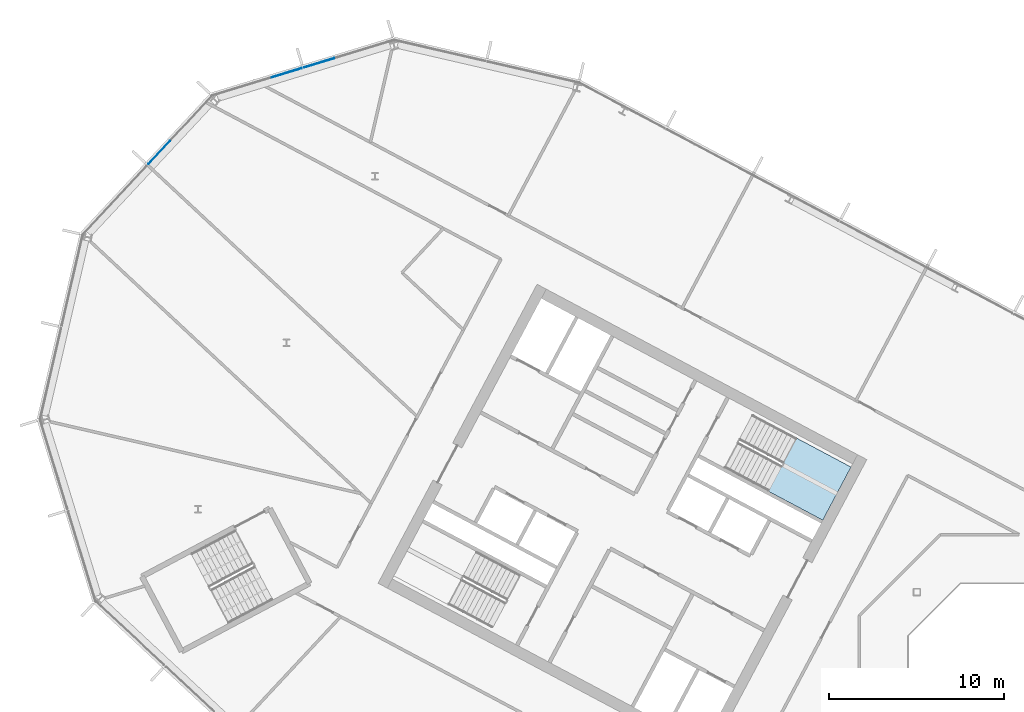
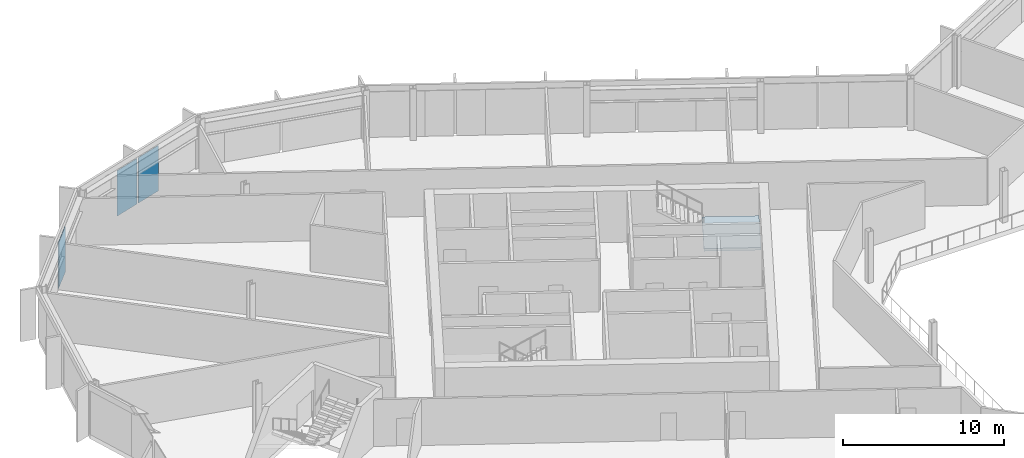
# One storey, part 11 of 27: 3 plates, 1 slab, 3 elements without a shape of their own.
"""IFC4 building model written with IfcOpenShell, lengths in metres."""

from ifc_helpers import new_model, si_unit, direction, frame, origin, origin_2d, place, context, subcontext, project, spatial, polyline, rectangle, outline, extrude, material, layer, layer_set, type_object, element, aggregate, save


model = new_model("IFC4")

# Units and contexts
model_context = context("Model", 3, precision=1e-05, world=origin(), true_north=direction((0.0, 1.0)))
body_context = subcontext(model_context, "Body", "Model", "MODEL_VIEW")
ifc_project = project(units=[si_unit("LENGTHUNIT", "METRE"), si_unit("AREAUNIT", "SQUARE_METRE"), si_unit("VOLUMEUNIT", "CUBIC_METRE"), si_unit("PLANEANGLEUNIT", "RADIAN"), si_unit("MASSUNIT", "GRAM", prefix="KILO")], contexts=[model_context])

# Site, building, storey
site_placement = place(None, origin())
site = spatial("IfcSite", under=ifc_project, at=site_placement, CompositionType="ELEMENT")
building_placement = place(site_placement, origin())
building = spatial("IfcBuilding", under=site, at=building_placement, Name="Cormorant Relay Tower", CompositionType="ELEMENT")
storey_placement = place(building_placement, frame((0.0, 0.0, 209.10009765625)))
storey = spatial("IfcBuildingStorey", under=building, at=storey_placement, Name="L45", CompositionType="ELEMENT", Elevation=209.10009765625)

# Curtain wall, plates
ifc_material_1 = material(Name="Aluminium 6063-T6 anodised bronze", Category="aluminium")
ifc_layer_1 = layer(ifc_material_1, 0.199951171875)
ifc_layer_set_1 = layer_set([ifc_layer_1], Name="CW1 unitised bronze curtain wall with vertical fins")
curtain_wall_type = type_object("IfcCurtainWallType", Name="CW1 unitised bronze curtain wall with vertical fins", PredefinedType="NOTDEFINED", material=ifc_layer_set_1)
curtain_wall_1_placement = place(storey_placement, origin())
curtain_wall_1 = element("IfcCurtainWall", 1, at=curtain_wall_1_placement, inside=storey, type_object=curtain_wall_type, Name="CW1 curtain wall 11", PredefinedType="NOTDEFINED")
ifc_material_2 = material(Name="Tinted laminated glass", Category="glass")
ifc_layer_2 = layer(ifc_material_2, 0.0400390625)
ifc_layer_set_2 = layer_set([ifc_layer_2], Name="CW1 tinted vision panel 1800 module")
plate_type = type_object("IfcPlateType", Name="CW1 tinted vision panel 1800 module", PredefinedType="CURTAIN_PANEL", material=ifc_layer_set_2)
plate_1_placement = place(storey_placement, frame((-44.73681640625, 40.82861328125, 0.0), z_axis=(0.0, 0.0, 1.0), x_axis=(-0.956304755963, -0.292371704723, 0.0)))
plate_1 = element("IfcPlate", 2, at=plate_1_placement, type_object=plate_type, Name="CW1 panel V01", PredefinedType="CURTAIN_PANEL", context=body_context, shape_type="SweptSolid", body=[
    extrude(rectangle(XDim=1.800048828125, YDim=0.0400390625, at=origin_2d()), origin(), (0.0, 0.0, 1.0), 3.449951171875),
])
plate_2_placement = place(storey_placement, frame((-46.6015625, 40.25830078125, 0.0), z_axis=(0.0, 0.0, 1.0), x_axis=(-0.956304755963, -0.292371704723, 0.0)))
plate_2 = element("IfcPlate", 3, at=plate_2_placement, type_object=plate_type, Name="CW1 panel V02", PredefinedType="CURTAIN_PANEL", context=body_context, shape_type="SweptSolid", body=[
    extrude(rectangle(XDim=1.800048828125, YDim=0.0400390625, at=origin_2d()), origin(), (0.0, 0.0, 1.0), 3.449951171875),
])
aggregate(curtain_wall_1, [plate_1, plate_2])

# Curtain wall, plate
curtain_wall_2_placement = place(storey_placement, origin())
curtain_wall_2 = element("IfcCurtainWall", 4, at=curtain_wall_2_placement, inside=storey, type_object=curtain_wall_type, Name="CW1 curtain wall 12", PredefinedType="NOTDEFINED")
plate_3_placement = place(storey_placement, frame((-53.91748046875, 35.68701171875, 0.0), z_axis=(0.0, 0.0, 1.0), x_axis=(-0.681998360062, -0.731353701619, 0.0)))
plate_3 = element("IfcPlate", 5, at=plate_3_placement, type_object=plate_type, Name="CW1 panel V01", PredefinedType="CURTAIN_PANEL", context=body_context, shape_type="SweptSolid", body=[
    extrude(rectangle(XDim=1.800048828125, YDim=0.0400390625, at=origin_2d()), origin(), (0.0, 0.0, 1.0), 3.449951171875),
])
aggregate(curtain_wall_2, [plate_3])

# Stair, slab
ifc_material_3 = material(Name="Concrete 40 MPa", Category="concrete")
stair_type = type_object("IfcStairType", Name="Exit stair 1500", PredefinedType="HALF_TURN_STAIR", material=ifc_material_3)
stair_placement = place(storey_placement, origin())
stair = element("IfcStair", 6, at=stair_placement, inside=storey, type_object=stair_type, Name="L45 Stair", PredefinedType="HALF_TURN_STAIR")
ifc_material_4 = material(Name="Concrete 40 MPa", Category="concrete")
ifc_layer_3 = layer(ifc_material_4, 0.199951171875)
ifc_layer_set_3 = layer_set([ifc_layer_3], Name="Exit stair landing 200")
slab_type = type_object("IfcSlabType", Name="Exit stair landing 200", PredefinedType="LANDING", material=ifc_layer_set_3)
slab_placement = place(storey_placement, frame((0.0, 0.0, 1.75)))
slab = element("IfcSlab", 7, at=slab_placement, type_object=slab_type, Name="A1 landing 1", PredefinedType="LANDING", context=body_context, shape_type="SweptSolid", body=[
    extrude(outline(polyline([(-19.029541015625, 16.29052734375), (-15.89501953125, 14.6240234375), (-14.275390625, 17.670166015625), (-17.40966796875, 19.3369140625), (-19.029541015625, 16.29052734375)])), origin(), (0.0, 0.0, 1.0), 0.199951171875),
])
aggregate(stair, [slab])

save(model, "model.ifc")
